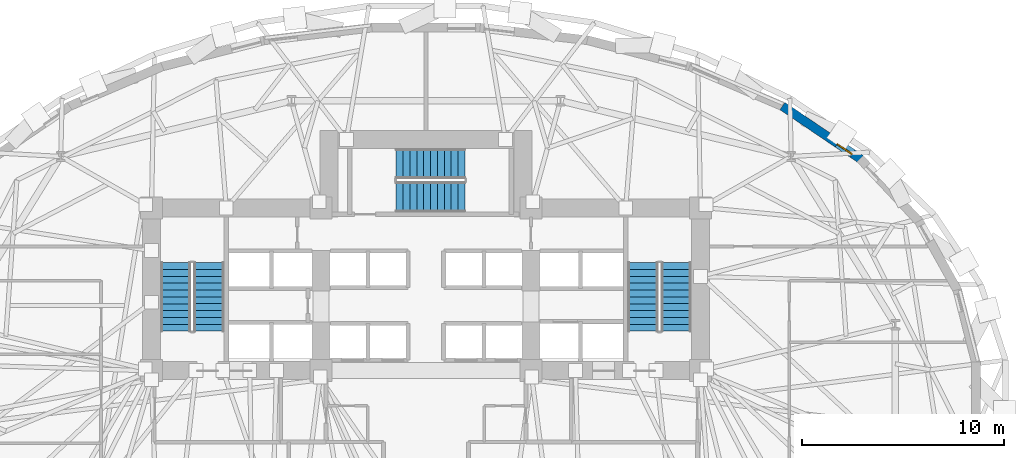
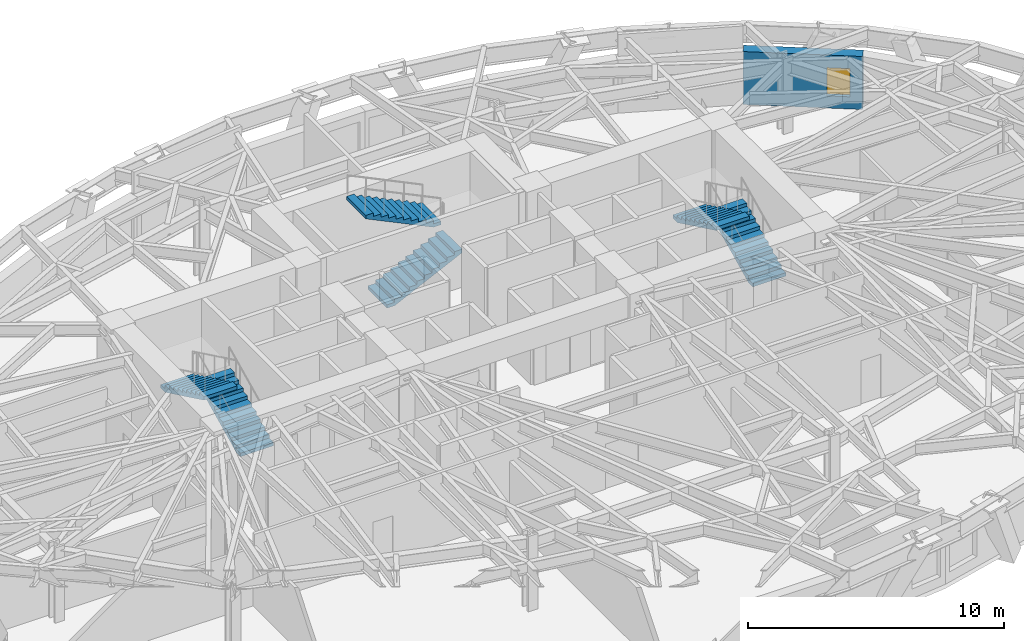
# One storey, part 10 of 14: 6 stair flights, 1 wall, 1 window, 1 opening, 3 elements without a shape of their own.
"""IFC4 building model written with IfcOpenShell, lengths in metres."""

import ifcopenshell
import ifcopenshell.guid

model = None  # the IFC model being written
_history = None  # IfcOwnerHistory: only IFC2X3 demands one
_inside = {}  # id of a spatial element -> (the spatial element, [elements in it])
_under = {}  # id of a project, library or spatial element -> (it, [spatial elements below it])
_declared = {}  # id of a project -> (the project, [libraries it declares])
_typed = {}  # id of a type object -> (the type object, [elements of that type])
_made_of = {}  # id of a material, layer set ... -> (it, [elements and type objects made of it])


def new_model(schema):
    """Start an empty IFC model of exactly this schema.

    Asked for "IFC4X3", IfcOpenShell would pick the latest addendum, in which some entities
    have other attributes; the version numbers below select the first issue.
    IFC2X3 requires an IfcOwnerHistory on every rooted entity: one is made here for all.
    """
    global model, _history
    if schema == "IFC4X3":
        model = ifcopenshell.file(schema_version=(4, 3, 0, 0))
    else:
        model = ifcopenshell.file(schema=schema)
    _inside.clear()
    _under.clear()
    _declared.clear()
    _typed.clear()
    _made_of.clear()
    _history = None
    if model.schema == "IFC2X3":
        org = make("IfcOrganization", Name="unknown")
        user = make(
            "IfcPersonAndOrganization",
            ThePerson=make("IfcPerson", FamilyName="unknown"),
            TheOrganization=org,
        )
        app = make(
            "IfcApplication",
            ApplicationDeveloper=org,
            Version="unknown",
            ApplicationFullName="unknown",
            ApplicationIdentifier="unknown",
        )
        _history = make(
            "IfcOwnerHistory",
            OwningUser=user,
            OwningApplication=app,
            ChangeAction="ADDED",
            CreationDate=0,
        )
    return model


def make(cls, **values):
    """One entity of the class cls with the attributes given. An attribute that is None is left unset."""
    return model.create_entity(
        cls, **{name: value for name, value in values.items() if value is not None}
    )


def rooted(cls, **values):
    """An entity with a GlobalId (a new one), such as an element, a storey or a relation."""
    return make(cls, GlobalId=ifcopenshell.guid.new(), OwnerHistory=_history, **values)


def si_unit(unit_type, name, prefix=None):
    """IfcSIUnit, for example si_unit("LENGTHUNIT", "METRE", prefix="MILLI")."""
    return make("IfcSIUnit", UnitType=unit_type, Prefix=prefix, Name=name)


def assignment(units):
    """IfcUnitAssignment: the units of a project."""
    return None if units is None else make("IfcUnitAssignment", Units=units)


def point(xyz):
    """IfcCartesianPoint."""
    return None if xyz is None else make("IfcCartesianPoint", Coordinates=xyz)


def direction(xyz):
    """IfcDirection."""
    return None if xyz is None else make("IfcDirection", DirectionRatios=xyz)


def frame(location, z_axis=None, x_axis=None):
    """IfcAxis2Placement3D, a coordinate frame: its origin and axes. An axis left out is left unset."""
    return make(
        "IfcAxis2Placement3D",
        Location=point(location),
        Axis=direction(z_axis),
        RefDirection=direction(x_axis),
    )


def frame_2d(location, x_axis=None):
    """IfcAxis2Placement2D, a coordinate frame in the plane: its origin and x axis."""
    return make(
        "IfcAxis2Placement2D", Location=point(location), RefDirection=direction(x_axis)
    )


def origin():
    """The frame at (0, 0, 0) with its axes left unset."""
    return frame((0.0, 0.0, 0.0))


def place(relative_to, where):
    """IfcLocalPlacement: puts the frame where relative to a parent placement (None: the world)."""
    return make(
        "IfcLocalPlacement", PlacementRelTo=relative_to, RelativePlacement=where
    )


def context(
    kind, dimensions, precision=None, world=None, true_north=None, identifier=None
):
    """IfcGeometricRepresentationContext, for example the 3D "Model" context."""
    return make(
        "IfcGeometricRepresentationContext",
        ContextIdentifier=identifier,
        ContextType=kind,
        CoordinateSpaceDimension=dimensions,
        Precision=precision,
        WorldCoordinateSystem=world,
        TrueNorth=true_north,
    )


def subcontext(parent, identifier, kind, view, scale=None):
    """IfcGeometricRepresentationSubContext, for example "Body" below "Model"."""
    return make(
        "IfcGeometricRepresentationSubContext",
        ContextIdentifier=identifier,
        ContextType=kind,
        ParentContext=parent,
        TargetScale=scale,
        TargetView=view,
    )


def project(units=None, contexts=None):
    """IfcProject with its units and contexts."""
    return rooted(
        "IfcProject",
        Name="project",
        RepresentationContexts=contexts,
        UnitsInContext=assignment(units),
    )


def spatial(cls, under=None, at=None, **own):
    """A site, building, storey or space (cls), placed at a placement, below another one or the project."""
    s = rooted(cls, ObjectPlacement=at, **own)
    if under is not None:
        _under.setdefault(under.id(), (under, []))[1].append(s)
    return s


def polyline(points):
    """IfcPolyline through the points."""
    return make("IfcPolyline", Points=[point(p) for p in points])


def profile(cls, at=None, kind="AREA", **sizes):
    """A parametric profile (cls). Its sizes go by their IFC names, for example OverallWidth=200.0."""
    return make(cls, ProfileType=kind, Position=at, **sizes)


def rectangle(**sizes):
    """IfcRectangleProfileDef."""
    return profile("IfcRectangleProfileDef", **sizes)


def outline(outer, holes=None, kind="AREA"):
    """IfcArbitraryClosedProfileDef: a profile drawn as a closed curve; with holes, ...WithVoids."""
    if holes is None:
        return make("IfcArbitraryClosedProfileDef", ProfileType=kind, OuterCurve=outer)
    return make(
        "IfcArbitraryProfileDefWithVoids",
        ProfileType=kind,
        OuterCurve=outer,
        InnerCurves=holes,
    )


def extrude(swept, where, along, depth):
    """IfcExtrudedAreaSolid: the profile swept, set in the frame where, extruded along a direction by depth."""
    return make(
        "IfcExtrudedAreaSolid",
        SweptArea=swept,
        Position=where,
        ExtrudedDirection=direction(along),
        Depth=depth,
    )


def shape(context_of_items, identifier, shape_type, items):
    """IfcShapeRepresentation: the items that make up one representation, for example the "Body"."""
    return make(
        "IfcShapeRepresentation",
        ContextOfItems=context_of_items,
        RepresentationIdentifier=identifier,
        RepresentationType=shape_type,
        Items=items,
    )


def material(Name=None, Category=None):
    """IfcMaterial."""
    return make("IfcMaterial", Name=Name, Category=Category)


def layer(
    of_material, thickness, ventilated=None, Name=None, Category=None, Priority=None
):
    """IfcMaterialLayer: one layer of a wall or slab, of a material (None: an air gap)."""
    return make(
        "IfcMaterialLayer",
        Material=of_material,
        LayerThickness=thickness,
        IsVentilated=ventilated,
        Name=Name,
        Category=Category,
        Priority=Priority,
    )


def layer_set(layers, Name=None):
    """IfcMaterialLayerSet."""
    return make("IfcMaterialLayerSet", MaterialLayers=layers, LayerSetName=Name)


def made_of(thing, what):
    """Note that an element or type object is made of a material, layer set ...; save() writes the relation."""
    if what is not None:
        _made_of.setdefault(what.id(), (what, []))[1].append(thing)
    return thing


def type_object(cls, material=None, **own):
    """A type object (cls), such as IfcWallType, which elements share."""
    return made_of(rooted(cls, **own), material)


def element(
    cls,
    number,
    at=None,
    inside=None,
    cuts=None,
    type_object=None,
    material=None,
    context=None,
    identifier="Body",
    shape_type=None,
    held_by="IfcProductDefinitionShape",
    body=None,
    shapes=None,
    **own,
):
    """One element of the class cls, such as IfcWall. Its Tag is "e" and its number.

    at: its placement. inside: the storey or other place that contains it. cuts: it is an
    opening in that element (IfcRelVoidsElement). A single representation is given by context,
    identifier, shape_type and body (its items); several are given by shapes. held_by: the class
    of the entity that holds the representations. save() writes the other relations.
    """
    e = rooted(cls, Tag="e%d" % number, ObjectPlacement=at, **own)
    if body is not None:
        shapes = [shape(context, identifier, shape_type, body)]
    if shapes is not None:
        e.Representation = make(held_by, Representations=shapes)
    if inside is not None:
        _inside.setdefault(inside.id(), (inside, []))[1].append(e)
    if cuts is not None:
        rooted(
            "IfcRelVoidsElement", RelatingBuildingElement=cuts, RelatedOpeningElement=e
        )
    if type_object is not None:
        _typed.setdefault(type_object.id(), (type_object, []))[1].append(e)
    return made_of(e, material)


def fill(opening, filler):
    """IfcRelFillsElement: the door or window that sits in an opening."""
    return rooted(
        "IfcRelFillsElement",
        RelatingOpeningElement=opening,
        RelatedBuildingElement=filler,
    )


def aggregate(whole, parts):
    """IfcRelAggregates: a whole, such as a stair, and the parts it consists of."""
    return rooted("IfcRelAggregates", RelatingObject=whole, RelatedObjects=parts)


def save(model, path):
    """Write the relations noted so far, then the file.

    IfcRelAggregates (storeys below a building ...), IfcRelContainedInSpatialStructure (elements
    in a storey), IfcRelDefinesByType, IfcRelAssociatesMaterial and IfcRelDeclares: one each for
    every whole, place, type object, material and project.
    """
    for whole, parts in _under.values():
        aggregate(whole, parts)
    for where, things in _inside.values():
        rooted(
            "IfcRelContainedInSpatialStructure",
            RelatedElements=things,
            RelatingStructure=where,
        )
    for kind, things in _typed.values():
        rooted("IfcRelDefinesByType", RelatedObjects=things, RelatingType=kind)
    for what, things in _made_of.values():
        rooted("IfcRelAssociatesMaterial", RelatedObjects=things, RelatingMaterial=what)
    for by, libraries in _declared.values():
        rooted("IfcRelDeclares", RelatingContext=by, RelatedDefinitions=libraries)
    model.write(path)


model = new_model("IFC4")

# Units and contexts
model_context = context("Model", 3, precision=1e-05, world=origin(), true_north=direction((0.0, 1.0)))
body_context = subcontext(model_context, "Body", "Model", "MODEL_VIEW")
ifc_project = project(units=[si_unit("LENGTHUNIT", "METRE"), si_unit("AREAUNIT", "SQUARE_METRE"), si_unit("VOLUMEUNIT", "CUBIC_METRE"), si_unit("PLANEANGLEUNIT", "RADIAN"), si_unit("MASSUNIT", "GRAM", prefix="KILO")], contexts=[model_context])

# Site, building, storey
site_placement = place(None, origin())
site = spatial("IfcSite", under=ifc_project, at=site_placement, CompositionType="ELEMENT")
building_placement = place(site_placement, origin())
building = spatial("IfcBuilding", under=site, at=building_placement, Name="Keldmark Tower", CompositionType="ELEMENT")
storey_placement = place(building_placement, frame((0.0, 0.0, 52.199951171875)))
storey = spatial("IfcBuildingStorey", under=building, at=storey_placement, Name="L13", CompositionType="ELEMENT", Elevation=52.199951171875)

# Wall, opening, window
ifc_material_1 = material(Name="Ironspot Manganese Brick and Kasota Buff Limestone Spandrel Assembly", Category="masonry")
ifc_layer = layer(ifc_material_1, 0.43994140625)
ifc_layer_set = layer_set([ifc_layer], Name="Ironspot Manganese Brick and Kasota Buff Limestone Spandrel Assembly")
wall_type = type_object("IfcWallType", Name="Tower Brick Pier and Spandrel Wall 440 mm", PredefinedType="STANDARD", material=ifc_layer_set)
wall_placement = place(storey_placement, frame((17.6630859375, 14.503662109375, 0.0), z_axis=(0.0, 0.0, 1.0), x_axis=(0.827825981515, -0.560984976919, 0.0)))
wall = element("IfcWall", 1, at=wall_placement, inside=storey, type_object=wall_type, Name="L13 Exterior Brick and Spandrel Wall 04", PredefinedType="STANDARD", context=body_context, shape_type="SweptSolid", body=[
    extrude(rectangle(XDim=4.694580078125, YDim=0.43994140625, at=frame_2d((2.34716796875, 0.0))), origin(), (0.0, 0.0, 1.0), 2.532958984375),
])
opening_placement = place(wall_placement, frame((3.294921875, 0.0, 0.580078125)))
opening = element("IfcOpeningElement", 2, at=opening_placement, cuts=wall, Name="Opening W-09", PredefinedType="OPENING", context=body_context, shape_type="SweptSolid", body=[
    extrude(rectangle(XDim=0.89990234375, YDim=1.35009765625, at=frame_2d((0.449951171875, 0.675048828125))), frame((0.0, 0.22998046875, 0.0), z_axis=(0.0, -1.0, 0.0), x_axis=(1.0, 0.0, 0.0)), (0.0, 0.0, 1.0), 0.4599609375),
])
ifc_material_2 = material(Name="Thermally Broken Anodized Aluminum and Triple Low-E Argon Glazing", Category="aluminium")
window_type = type_object("IfcWindowType", Name="Corner Pier Deep-Set Window 900x1350", PartitioningType="SINGLE_PANEL", PredefinedType="WINDOW", material=ifc_material_2)
window_placement = place(opening_placement, origin())
window = element("IfcWindow", 3, at=window_placement, inside=storey, type_object=window_type, Name="L13 Deep-Set Window 04", OverallHeight=1.35009765625, OverallWidth=0.89990234375, PartitioningType="SINGLE_PANEL", PredefinedType="WINDOW", context=body_context, shape_type="SweptSolid", body=[
    extrude(rectangle(XDim=0.89990234375, YDim=1.35009765625, at=frame_2d((0.449951171875, 0.675048828125))), frame((0.0, -0.010009765625, 0.0), z_axis=(0.0, -1.0, 0.0), x_axis=(1.0, 0.0, 0.0)), (0.0, 0.0, 1.0), 0.06005859375),
])
fill(opening, window)

# Stair, stair flights
ifc_material_3 = material(Name="Concrete C40/50", Category="concrete")
stair_type = type_object("IfcStairType", Name="Precast Concrete Core Exit Stair", PredefinedType="HALF_TURN_STAIR", material=ifc_material_3)
stair_1_placement = place(storey_placement, origin())
stair_1 = element("IfcStair", 4, at=stair_1_placement, inside=storey, type_object=stair_type, Name="L13 Exit Stair ST1", PredefinedType="HALF_TURN_STAIR")
ifc_material_4 = material(Name="Concrete C40/50", Category="concrete")
stair_flight_type = type_object("IfcStairFlightType", Name="Precast Concrete Stair Flight 1500 mm", PredefinedType="STRAIGHT", material=ifc_material_4)
stair_flight_1_placement = place(storey_placement, frame((-10.75, 3.35009765625, 0.0), z_axis=(0.0, 0.0, 1.0), x_axis=(0.0, 1.0, 0.0)))
stair_flight_1 = element("IfcStairFlight", 5, at=stair_flight_1_placement, type_object=stair_flight_type, Name="ST1 flight 1", NumberOfRisers=11, NumberOfTreads=10, PredefinedType="STRAIGHT", RiserHeight=0.163636364, TreadLength=0.34, context=body_context, shape_type="SweptSolid", body=[
    extrude(outline(polyline([(0.0, 0.0), (0.0, 0.16357421875), (0.340087890625, 0.16357421875), (0.340087890625, 0.327392578125), (0.679931640625, 0.327392578125), (0.679931640625, 0.490966796875), (1.02001953125, 0.490966796875), (1.02001953125, 0.654541015625), (1.360107421875, 0.654541015625), (1.360107421875, 0.818115234375), (1.699951171875, 0.818115234375), (1.699951171875, 0.98193359375), (2.0400390625, 0.98193359375), (2.0400390625, 1.1455078125), (2.3798828125, 1.1455078125), (2.3798828125, 1.30908203125), (2.719970703125, 1.30908203125), (2.719970703125, 1.47265625), (3.06005859375, 1.47265625), (3.06005859375, 1.636474609375), (3.39990234375, 1.636474609375), (3.39990234375, 1.800048828125), (3.39990234375, 1.469970703125), (0.345703125, 0.0), (0.0, 0.0)])), frame((0.0, 0.75, 0.0), z_axis=(0.0, -1.0, 0.0), x_axis=(1.0, 0.0, 0.0)), (0.0, 0.0, 1.0), 1.5),
])
stair_flight_2_placement = place(storey_placement, frame((-12.39990234375, 6.75, 1.800048828125), z_axis=(0.0, 0.0, 1.0), x_axis=(0.0, -1.0, 0.0)))
stair_flight_2 = element("IfcStairFlight", 6, at=stair_flight_2_placement, type_object=stair_flight_type, Name="ST1 flight 2", NumberOfRisers=11, NumberOfTreads=10, PredefinedType="STRAIGHT", RiserHeight=0.163636364, TreadLength=0.34, context=body_context, shape_type="SweptSolid", body=[
    extrude(outline(polyline([(0.0, 0.0), (0.0, 0.16357421875), (0.340087890625, 0.16357421875), (0.340087890625, 0.327392578125), (0.679931640625, 0.327392578125), (0.679931640625, 0.490966796875), (1.02001953125, 0.490966796875), (1.02001953125, 0.654541015625), (1.360107421875, 0.654541015625), (1.360107421875, 0.818115234375), (1.699951171875, 0.818115234375), (1.699951171875, 0.98193359375), (2.0400390625, 0.98193359375), (2.0400390625, 1.1455078125), (2.3798828125, 1.1455078125), (2.3798828125, 1.30908203125), (2.719970703125, 1.30908203125), (2.719970703125, 1.47265625), (3.06005859375, 1.47265625), (3.06005859375, 1.636474609375), (3.39990234375, 1.636474609375), (3.39990234375, 1.800048828125), (3.39990234375, 1.469970703125), (0.345703125, 0.0), (0.0, 0.0)])), frame((0.0, 0.75, 0.0), z_axis=(0.0, -1.0, 0.0), x_axis=(1.0, 0.0, 0.0)), (0.0, 0.0, 1.0), 1.5),
])
aggregate(stair_1, [stair_flight_1, stair_flight_2])

stair_2_placement = place(storey_placement, origin())
stair_2 = element("IfcStair", 7, at=stair_2_placement, inside=storey, type_object=stair_type, Name="L13 Exit Stair ST2", PredefinedType="HALF_TURN_STAIR")
stair_flight_3_placement = place(storey_placement, frame((12.39990234375, 3.35009765625, 0.0), z_axis=(0.0, 0.0, 1.0), x_axis=(0.0, 1.0, 0.0)))
stair_flight_3 = element("IfcStairFlight", 8, at=stair_flight_3_placement, type_object=stair_flight_type, Name="ST2 flight 1", NumberOfRisers=11, NumberOfTreads=10, PredefinedType="STRAIGHT", RiserHeight=0.163636364, TreadLength=0.34, context=body_context, shape_type="SweptSolid", body=[
    extrude(outline(polyline([(0.0, 0.0), (0.0, 0.16357421875), (0.340087890625, 0.16357421875), (0.340087890625, 0.327392578125), (0.679931640625, 0.327392578125), (0.679931640625, 0.490966796875), (1.02001953125, 0.490966796875), (1.02001953125, 0.654541015625), (1.360107421875, 0.654541015625), (1.360107421875, 0.818115234375), (1.699951171875, 0.818115234375), (1.699951171875, 0.98193359375), (2.0400390625, 0.98193359375), (2.0400390625, 1.1455078125), (2.3798828125, 1.1455078125), (2.3798828125, 1.30908203125), (2.719970703125, 1.30908203125), (2.719970703125, 1.47265625), (3.06005859375, 1.47265625), (3.06005859375, 1.636474609375), (3.39990234375, 1.636474609375), (3.39990234375, 1.800048828125), (3.39990234375, 1.469970703125), (0.345703125, 0.0), (0.0, 0.0)])), frame((0.0, 0.75, 0.0), z_axis=(0.0, -1.0, 0.0), x_axis=(1.0, 0.0, 0.0)), (0.0, 0.0, 1.0), 1.5),
])
stair_flight_4_placement = place(storey_placement, frame((10.75, 6.75, 1.800048828125), z_axis=(0.0, 0.0, 1.0), x_axis=(0.0, -1.0, 0.0)))
stair_flight_4 = element("IfcStairFlight", 9, at=stair_flight_4_placement, type_object=stair_flight_type, Name="ST2 flight 2", NumberOfRisers=11, NumberOfTreads=10, PredefinedType="STRAIGHT", RiserHeight=0.163636364, TreadLength=0.34, context=body_context, shape_type="SweptSolid", body=[
    extrude(outline(polyline([(0.0, 0.0), (0.0, 0.16357421875), (0.340087890625, 0.16357421875), (0.340087890625, 0.327392578125), (0.679931640625, 0.327392578125), (0.679931640625, 0.490966796875), (1.02001953125, 0.490966796875), (1.02001953125, 0.654541015625), (1.360107421875, 0.654541015625), (1.360107421875, 0.818115234375), (1.699951171875, 0.818115234375), (1.699951171875, 0.98193359375), (2.0400390625, 0.98193359375), (2.0400390625, 1.1455078125), (2.3798828125, 1.1455078125), (2.3798828125, 1.30908203125), (2.719970703125, 1.30908203125), (2.719970703125, 1.47265625), (3.06005859375, 1.47265625), (3.06005859375, 1.636474609375), (3.39990234375, 1.636474609375), (3.39990234375, 1.800048828125), (3.39990234375, 1.469970703125), (0.345703125, 0.0), (0.0, 0.0)])), frame((0.0, 0.75, 0.0), z_axis=(0.0, -1.0, 0.0), x_axis=(1.0, 0.0, 0.0)), (0.0, 0.0, 1.0), 1.5),
])
aggregate(stair_2, [stair_flight_3, stair_flight_4])

stair_3_placement = place(storey_placement, origin())
stair_3 = element("IfcStair", 10, at=stair_3_placement, inside=storey, type_object=stair_type, Name="L13 Exit Stair ST3", PredefinedType="HALF_TURN_STAIR")
stair_flight_5_placement = place(storey_placement, frame((-1.47509765625, 10.0, 0.0), z_axis=(0.0, 0.0, 1.0), x_axis=(1.0, 0.0, 0.0)))
stair_flight_5 = element("IfcStairFlight", 11, at=stair_flight_5_placement, type_object=stair_flight_type, Name="ST3 flight 1", NumberOfRisers=11, NumberOfTreads=10, PredefinedType="STRAIGHT", RiserHeight=0.163636364, TreadLength=0.34, context=body_context, shape_type="SweptSolid", body=[
    extrude(outline(polyline([(0.0, 0.0), (0.0, 0.16357421875), (0.340087890625, 0.16357421875), (0.340087890625, 0.327392578125), (0.679931640625, 0.327392578125), (0.679931640625, 0.490966796875), (1.02001953125, 0.490966796875), (1.02001953125, 0.654541015625), (1.360107421875, 0.654541015625), (1.360107421875, 0.818115234375), (1.699951171875, 0.818115234375), (1.699951171875, 0.98193359375), (2.0400390625, 0.98193359375), (2.0400390625, 1.1455078125), (2.3798828125, 1.1455078125), (2.3798828125, 1.30908203125), (2.719970703125, 1.30908203125), (2.719970703125, 1.47265625), (3.06005859375, 1.47265625), (3.06005859375, 1.636474609375), (3.39990234375, 1.636474609375), (3.39990234375, 1.800048828125), (3.39990234375, 1.469970703125), (0.345703125, 0.0), (0.0, 0.0)])), frame((0.0, 0.75, 0.0), z_axis=(0.0, -1.0, 0.0), x_axis=(1.0, 0.0, 0.0)), (0.0, 0.0, 1.0), 1.5),
])
stair_flight_6_placement = place(storey_placement, frame((1.925048828125, 11.64990234375, 1.800048828125), z_axis=(0.0, 0.0, 1.0), x_axis=(-1.0, 0.0, 0.0)))
stair_flight_6 = element("IfcStairFlight", 12, at=stair_flight_6_placement, type_object=stair_flight_type, Name="ST3 flight 2", NumberOfRisers=11, NumberOfTreads=10, PredefinedType="STRAIGHT", RiserHeight=0.163636364, TreadLength=0.34, context=body_context, shape_type="SweptSolid", body=[
    extrude(outline(polyline([(0.0, 0.0), (0.0, 0.16357421875), (0.340087890625, 0.16357421875), (0.340087890625, 0.327392578125), (0.679931640625, 0.327392578125), (0.679931640625, 0.490966796875), (1.02001953125, 0.490966796875), (1.02001953125, 0.654541015625), (1.360107421875, 0.654541015625), (1.360107421875, 0.818115234375), (1.699951171875, 0.818115234375), (1.699951171875, 0.98193359375), (2.0400390625, 0.98193359375), (2.0400390625, 1.1455078125), (2.3798828125, 1.1455078125), (2.3798828125, 1.30908203125), (2.719970703125, 1.30908203125), (2.719970703125, 1.47265625), (3.06005859375, 1.47265625), (3.06005859375, 1.636474609375), (3.39990234375, 1.636474609375), (3.39990234375, 1.800048828125), (3.39990234375, 1.469970703125), (0.345703125, 0.0), (0.0, 0.0)])), frame((0.0, 0.75, 0.0), z_axis=(0.0, -1.0, 0.0), x_axis=(1.0, 0.0, 0.0)), (0.0, 0.0, 1.0), 1.5),
])
aggregate(stair_3, [stair_flight_5, stair_flight_6])

save(model, "model.ifc")
